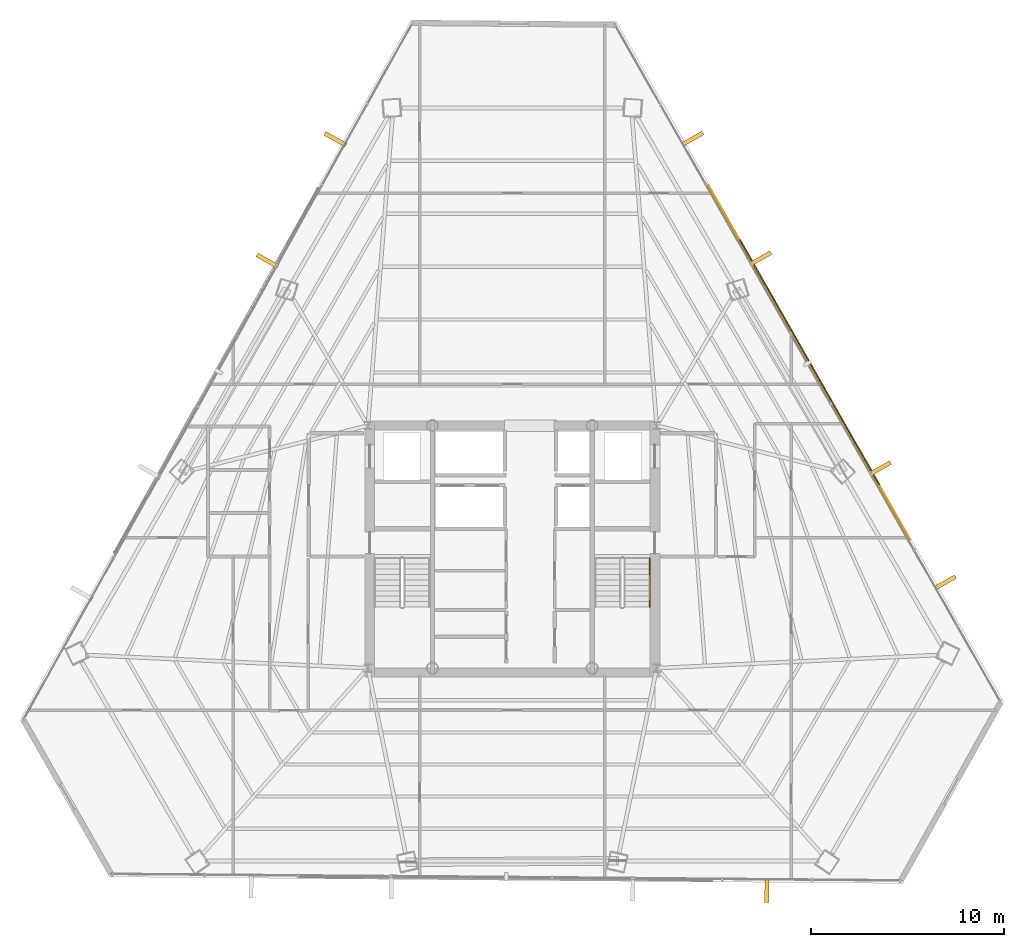
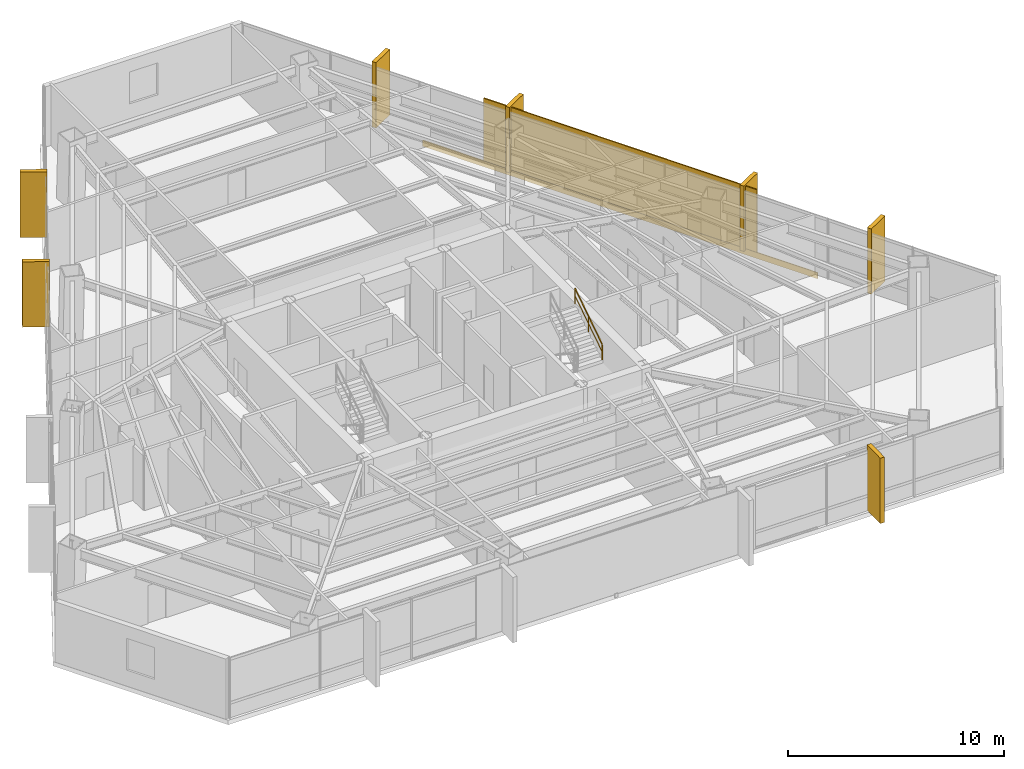
# One storey, part 38 of 38: 8 coverings, 1 railing, 1 shading device.
"""IFC4 building model written with IfcOpenShell, lengths in metres."""

import ifcopenshell
import ifcopenshell.guid

model = None  # the IFC model being written
_history = None  # IfcOwnerHistory: only IFC2X3 demands one
_inside = {}  # id of a spatial element -> (the spatial element, [elements in it])
_under = {}  # id of a project, library or spatial element -> (it, [spatial elements below it])
_declared = {}  # id of a project -> (the project, [libraries it declares])
_typed = {}  # id of a type object -> (the type object, [elements of that type])
_made_of = {}  # id of a material, layer set ... -> (it, [elements and type objects made of it])


def new_model(schema):
    """Start an empty IFC model of exactly this schema.

    Asked for "IFC4X3", IfcOpenShell would pick the latest addendum, in which some entities
    have other attributes; the version numbers below select the first issue.
    IFC2X3 requires an IfcOwnerHistory on every rooted entity: one is made here for all.
    """
    global model, _history
    if schema == "IFC4X3":
        model = ifcopenshell.file(schema_version=(4, 3, 0, 0))
    else:
        model = ifcopenshell.file(schema=schema)
    _inside.clear()
    _under.clear()
    _declared.clear()
    _typed.clear()
    _made_of.clear()
    _history = None
    if model.schema == "IFC2X3":
        org = make("IfcOrganization", Name="unknown")
        user = make(
            "IfcPersonAndOrganization",
            ThePerson=make("IfcPerson", FamilyName="unknown"),
            TheOrganization=org,
        )
        app = make(
            "IfcApplication",
            ApplicationDeveloper=org,
            Version="unknown",
            ApplicationFullName="unknown",
            ApplicationIdentifier="unknown",
        )
        _history = make(
            "IfcOwnerHistory",
            OwningUser=user,
            OwningApplication=app,
            ChangeAction="ADDED",
            CreationDate=0,
        )
    return model


def make(cls, **values):
    """One entity of the class cls with the attributes given. An attribute that is None is left unset."""
    return model.create_entity(
        cls, **{name: value for name, value in values.items() if value is not None}
    )


def rooted(cls, **values):
    """An entity with a GlobalId (a new one), such as an element, a storey or a relation."""
    return make(cls, GlobalId=ifcopenshell.guid.new(), OwnerHistory=_history, **values)


def si_unit(unit_type, name, prefix=None):
    """IfcSIUnit, for example si_unit("LENGTHUNIT", "METRE", prefix="MILLI")."""
    return make("IfcSIUnit", UnitType=unit_type, Prefix=prefix, Name=name)


def assignment(units):
    """IfcUnitAssignment: the units of a project."""
    return None if units is None else make("IfcUnitAssignment", Units=units)


def point(xyz):
    """IfcCartesianPoint."""
    return None if xyz is None else make("IfcCartesianPoint", Coordinates=xyz)


def direction(xyz):
    """IfcDirection."""
    return None if xyz is None else make("IfcDirection", DirectionRatios=xyz)


def frame(location, z_axis=None, x_axis=None):
    """IfcAxis2Placement3D, a coordinate frame: its origin and axes. An axis left out is left unset."""
    return make(
        "IfcAxis2Placement3D",
        Location=point(location),
        Axis=direction(z_axis),
        RefDirection=direction(x_axis),
    )


def frame_2d(location, x_axis=None):
    """IfcAxis2Placement2D, a coordinate frame in the plane: its origin and x axis."""
    return make(
        "IfcAxis2Placement2D", Location=point(location), RefDirection=direction(x_axis)
    )


def origin():
    """The frame at (0, 0, 0) with its axes left unset."""
    return frame((0.0, 0.0, 0.0))


def origin_2d():
    """The frame at (0, 0) in the plane with its x axis left unset."""
    return frame_2d((0.0, 0.0))


def place(relative_to, where):
    """IfcLocalPlacement: puts the frame where relative to a parent placement (None: the world)."""
    return make(
        "IfcLocalPlacement", PlacementRelTo=relative_to, RelativePlacement=where
    )


def context(
    kind, dimensions, precision=None, world=None, true_north=None, identifier=None
):
    """IfcGeometricRepresentationContext, for example the 3D "Model" context."""
    return make(
        "IfcGeometricRepresentationContext",
        ContextIdentifier=identifier,
        ContextType=kind,
        CoordinateSpaceDimension=dimensions,
        Precision=precision,
        WorldCoordinateSystem=world,
        TrueNorth=true_north,
    )


def subcontext(parent, identifier, kind, view, scale=None):
    """IfcGeometricRepresentationSubContext, for example "Body" below "Model"."""
    return make(
        "IfcGeometricRepresentationSubContext",
        ContextIdentifier=identifier,
        ContextType=kind,
        ParentContext=parent,
        TargetScale=scale,
        TargetView=view,
    )


def project(units=None, contexts=None):
    """IfcProject with its units and contexts."""
    return rooted(
        "IfcProject",
        Name="project",
        RepresentationContexts=contexts,
        UnitsInContext=assignment(units),
    )


def spatial(cls, under=None, at=None, **own):
    """A site, building, storey or space (cls), placed at a placement, below another one or the project."""
    s = rooted(cls, ObjectPlacement=at, **own)
    if under is not None:
        _under.setdefault(under.id(), (under, []))[1].append(s)
    return s


def profile(cls, at=None, kind="AREA", **sizes):
    """A parametric profile (cls). Its sizes go by their IFC names, for example OverallWidth=200.0."""
    return make(cls, ProfileType=kind, Position=at, **sizes)


def rectangle(**sizes):
    """IfcRectangleProfileDef."""
    return profile("IfcRectangleProfileDef", **sizes)


def extrude(swept, where, along, depth):
    """IfcExtrudedAreaSolid: the profile swept, set in the frame where, extruded along a direction by depth."""
    return make(
        "IfcExtrudedAreaSolid",
        SweptArea=swept,
        Position=where,
        ExtrudedDirection=direction(along),
        Depth=depth,
    )


def shape(context_of_items, identifier, shape_type, items):
    """IfcShapeRepresentation: the items that make up one representation, for example the "Body"."""
    return make(
        "IfcShapeRepresentation",
        ContextOfItems=context_of_items,
        RepresentationIdentifier=identifier,
        RepresentationType=shape_type,
        Items=items,
    )


def source(mapping_origin, context_of_items, identifier, shape_type, items):
    """IfcRepresentationMap: a shape defined once, which mapped items show again and again."""
    return make(
        "IfcRepresentationMap",
        MappingOrigin=mapping_origin,
        MappedRepresentation=shape(context_of_items, identifier, shape_type, items),
    )


def transform(
    local_origin,
    x_axis=None,
    y_axis=None,
    z_axis=None,
    scale=None,
    scale2=None,
    scale3=None,
    uniform=True,
):
    """IfcCartesianTransformationOperator3D, or its non-uniform kind. x_axis, y_axis, z_axis: its Axis1, 2, 3."""
    if uniform:
        return make(
            "IfcCartesianTransformationOperator3D",
            Axis1=direction(x_axis),
            Axis2=direction(y_axis),
            LocalOrigin=point(local_origin),
            Scale=scale,
            Axis3=direction(z_axis),
        )
    return make(
        "IfcCartesianTransformationOperator3DnonUniform",
        Axis1=direction(x_axis),
        Axis2=direction(y_axis),
        LocalOrigin=point(local_origin),
        Scale=scale,
        Axis3=direction(z_axis),
        Scale2=scale2,
        Scale3=scale3,
    )


def mapped(mapping_source, mapping_target):
    """IfcMappedItem: shows the shape of a source again, moved by a transform."""
    return make(
        "IfcMappedItem", MappingSource=mapping_source, MappingTarget=mapping_target
    )


def material(Name=None, Category=None):
    """IfcMaterial."""
    return make("IfcMaterial", Name=Name, Category=Category)


def layer(
    of_material, thickness, ventilated=None, Name=None, Category=None, Priority=None
):
    """IfcMaterialLayer: one layer of a wall or slab, of a material (None: an air gap)."""
    return make(
        "IfcMaterialLayer",
        Material=of_material,
        LayerThickness=thickness,
        IsVentilated=ventilated,
        Name=Name,
        Category=Category,
        Priority=Priority,
    )


def layer_set(layers, Name=None):
    """IfcMaterialLayerSet."""
    return make("IfcMaterialLayerSet", MaterialLayers=layers, LayerSetName=Name)


def made_of(thing, what):
    """Note that an element or type object is made of a material, layer set ...; save() writes the relation."""
    if what is not None:
        _made_of.setdefault(what.id(), (what, []))[1].append(thing)
    return thing


def type_object(cls, material=None, **own):
    """A type object (cls), such as IfcWallType, which elements share."""
    return made_of(rooted(cls, **own), material)


def type_shapes(of_type, sources):
    """Give a type object the sources (RepresentationMaps) that its elements show as mapped items."""
    of_type.RepresentationMaps = sources


def element(
    cls,
    number,
    at=None,
    inside=None,
    cuts=None,
    type_object=None,
    material=None,
    context=None,
    identifier="Body",
    shape_type=None,
    held_by="IfcProductDefinitionShape",
    body=None,
    shapes=None,
    **own,
):
    """One element of the class cls, such as IfcWall. Its Tag is "e" and its number.

    at: its placement. inside: the storey or other place that contains it. cuts: it is an
    opening in that element (IfcRelVoidsElement). A single representation is given by context,
    identifier, shape_type and body (its items); several are given by shapes. held_by: the class
    of the entity that holds the representations. save() writes the other relations.
    """
    e = rooted(cls, Tag="e%d" % number, ObjectPlacement=at, **own)
    if body is not None:
        shapes = [shape(context, identifier, shape_type, body)]
    if shapes is not None:
        e.Representation = make(held_by, Representations=shapes)
    if inside is not None:
        _inside.setdefault(inside.id(), (inside, []))[1].append(e)
    if cuts is not None:
        rooted(
            "IfcRelVoidsElement", RelatingBuildingElement=cuts, RelatedOpeningElement=e
        )
    if type_object is not None:
        _typed.setdefault(type_object.id(), (type_object, []))[1].append(e)
    return made_of(e, material)


def aggregate(whole, parts):
    """IfcRelAggregates: a whole, such as a stair, and the parts it consists of."""
    return rooted("IfcRelAggregates", RelatingObject=whole, RelatedObjects=parts)


def save(model, path):
    """Write the relations noted so far, then the file.

    IfcRelAggregates (storeys below a building ...), IfcRelContainedInSpatialStructure (elements
    in a storey), IfcRelDefinesByType, IfcRelAssociatesMaterial and IfcRelDeclares: one each for
    every whole, place, type object, material and project.
    """
    for whole, parts in _under.values():
        aggregate(whole, parts)
    for where, things in _inside.values():
        rooted(
            "IfcRelContainedInSpatialStructure",
            RelatedElements=things,
            RelatingStructure=where,
        )
    for kind, things in _typed.values():
        rooted("IfcRelDefinesByType", RelatedObjects=things, RelatingType=kind)
    for what, things in _made_of.values():
        rooted("IfcRelAssociatesMaterial", RelatedObjects=things, RelatingMaterial=what)
    for by, libraries in _declared.values():
        rooted("IfcRelDeclares", RelatingContext=by, RelatedDefinitions=libraries)
    model.write(path)


model = new_model("IFC4")

# Units and contexts
model_context = context("Model", 3, precision=1e-05, world=origin(), true_north=direction((0.0, 1.0)))
body_context = subcontext(model_context, "Body", "Model", "MODEL_VIEW")
ifc_project = project(units=[si_unit("LENGTHUNIT", "METRE"), si_unit("AREAUNIT", "SQUARE_METRE"), si_unit("VOLUMEUNIT", "CUBIC_METRE"), si_unit("PLANEANGLEUNIT", "RADIAN"), si_unit("MASSUNIT", "GRAM", prefix="KILO")], contexts=[model_context])

# Site, building, storey
site_placement = place(None, origin())
site = spatial("IfcSite", under=ifc_project, at=site_placement, CompositionType="ELEMENT")
building_placement = place(site_placement, origin())
building = spatial("IfcBuilding", under=site, at=building_placement, Name="Caelisora Broadcast Tower", CompositionType="ELEMENT")
storey_placement = place(building_placement, frame((0.0, 0.0, 154.85009765625)))
storey = spatial("IfcBuildingStorey", under=building, at=storey_placement, Name="L40", CompositionType="ELEMENT", Elevation=154.85009765625)

# Railing
ifc_material_1 = material(Name="Stainless Steel Grade 316 Tubular Handrail", Category="steel")
ifc_layer_1 = layer(ifc_material_1, 0.048095703125, Name="Stainless Steel Grade 316 Tubular Handrail")
ifc_layer_set_1 = layer_set([ifc_layer_1], Name="Stainless Steel Grade 316 Tubular Handrail")
railing_type = type_object("IfcRailingType", Name="HR-1", PredefinedType="HANDRAIL", material=ifc_layer_set_1)
railing_placement = place(storey_placement, frame((45.1298828125, 20.580078125, 2.00732421875)))
element("IfcRailing", 1, at=railing_placement, inside=storey, type_object=railing_type, Name="L40 ST-2 stair handrail 2", PredefinedType="HANDRAIL", context=body_context, shape_type="SweptSolid", body=[
    extrude(rectangle(XDim=0.048095703125, YDim=0.048095703125, at=origin_2d()), frame((0.0, 0.0, 0.8759765625), z_axis=(0.0, 0.837749427056, 0.546054848405), x_axis=(-1.0, 0.0, 0.0)), (0.0, 0.0, 1.0), 3.008056640625),
    extrude(rectangle(XDim=0.03125, YDim=0.03125, at=origin_2d()), frame((0.0, 0.0, 0.449951171875), z_axis=(0.0, 0.837749427056, 0.546054848405), x_axis=(-1.0, 0.0, 0.0)), (0.0, 0.0, 1.0), 3.008056640625),
    extrude(rectangle(XDim=0.0419921875, YDim=0.0419921875, at=origin_2d()), origin(), (0.0, 0.0, 1.0), 0.851806640625),
    extrude(rectangle(XDim=0.0419921875, YDim=0.0419921875, at=origin_2d()), frame((0.0, 1.260009765625, 0.8212890625)), (0.0, 0.0, 1.0), 0.851806640625),
    extrude(rectangle(XDim=0.0419921875, YDim=0.0419921875, at=origin_2d()), frame((0.0, 2.52001953125, 1.642578125)), (0.0, 0.0, 1.0), 0.851806640625),
])

# Coverings
ifc_material_2 = material(Name="Kiln-Fired Terracotta Spandrel Rainscreen Cladding", Category="ceramic")
ifc_layer_2 = layer(ifc_material_2, 0.044921875, Name="Kiln-Fired Terracotta Spandrel Rainscreen Cladding")
ifc_layer_set_2 = layer_set([ifc_layer_2], Name="Kiln-Fired Terracotta Spandrel Rainscreen Cladding")
covering_type = type_object("IfcCoveringType", Name="CL-1", PredefinedType="CLADDING", material=ifc_layer_set_2)
shared_shape_1 = source(origin(), body_context, "Body", "SweptSolid", [
    extrude(rectangle(XDim=0.219970703125, YDim=1.25, at=origin_2d()), origin(), (0.0, 0.0, 1.0), 3.68994140625),
])
for number, where, z_axis, x_axis, name in (
    (2, (47.354248046875, 44.889404296875, -0.02001953125), (0.0, 0.0, 1.0), (0.494852128545, -0.868977198133, 0.0), "L40 vertical solar fin cladding #1-1"),
    (3, (50.892822265625, 38.675537109375, -0.02001953125), (0.0, 0.0, 1.0), (0.494852128545, -0.868977198133, 0.0), "L40 vertical solar fin cladding #1-2"),
    (4, (57.101806640625, 27.772216796875, -0.02001953125), (0.0, 0.0, 1.0), (0.494852128545, -0.868977198133, 0.0), "L40 vertical solar fin cladding #1-3"),
    (5, (60.477783203125, 21.84423828125, -0.02001953125), (0.0, 0.0, 1.0), (0.494852128545, -0.868977198133, 0.0), "L40 vertical solar fin cladding #1-4"),
    (6, (51.222412109375, 5.864501953125, -0.02001953125), (0.0, 0.0, 1.0), (-0.999966355195, 0.008202955488, 0.0), "L40 vertical solar fin cladding #2-1"),
    (7, (25.28271484375, 38.560302734375, -0.02001953125), (0.0, 0.0, 1.0), (0.487707298065, 0.873007211547, 0.0), "L40 vertical solar fin cladding #3-3"),
    (8, (28.808837890625, 44.873291015625, -0.02001953125), (0.0, 0.0, 1.0), (0.487707298065, 0.873007211547, 0.0), "L40 vertical solar fin cladding #3-4"),
):
    element("IfcCovering", number, at=place(storey_placement, frame(where, z_axis=z_axis, x_axis=x_axis)), inside=storey, type_object=covering_type, Name=name, PredefinedType="CLADDING", context=body_context, shape_type="MappedRepresentation", body=[
        mapped(shared_shape_1, transform((0.0, 0.0, 0.0), scale=1.0)),
    ])

# Shading device
ifc_material_3 = material(Name="Perforated Glazed Terracotta Baguette Solar Screen", Category="ceramic")
ifc_layer_3 = layer(ifc_material_3, 0.06494140625, Name="Perforated Glazed Terracotta Baguette Solar Screen")
ifc_layer_set_3 = layer_set([ifc_layer_3], Name="Perforated Glazed Terracotta Baguette Solar Screen")
shading_device_type = type_object("IfcShadingDeviceType", Name="SS-1", PredefinedType="USERDEFINED", material=ifc_layer_set_3)
shared_shape_2 = source(origin(), body_context, "Body", "SweptSolid", [
    extrude(rectangle(XDim=14.638916015625, YDim=0.06494140625, at=origin_2d()), origin(), (0.0, 0.0, 1.0), 3.590087890625),
])
type_shapes(shading_device_type, [shared_shape_2])
shading_device_placement = place(storey_placement, frame((53.443115234375, 33.28759765625, 0.0), z_axis=(0.0, 0.0, 1.0), x_axis=(-0.494852128545, 0.868977198133, 0.0)))
element("IfcShadingDevice", 9, at=shading_device_placement, inside=storey, type_object=shading_device_type, Name="L40 perforated terracotta solar screen #3", ObjectType="SOLAR SCREEN", PredefinedType="USERDEFINED", context=body_context, shape_type="MappedRepresentation", body=[
    mapped(shared_shape_2, transform((0.0, 0.0, 0.0), scale=1.0)),
])

# Covering
shared_shape_3 = source(origin(), body_context, "Body", "SweptSolid", [
    extrude(rectangle(XDim=21.14501953125, YDim=0.044921875, at=origin_2d()), origin(), (0.0, 0.0, 1.0), 0.340087890625),
])
type_shapes(covering_type, [shared_shape_1, shared_shape_3])
covering_placement = place(storey_placement, frame((53.42578125, 33.27783203125, -0.27001953125), z_axis=(0.0, 0.0, 1.0), x_axis=(-0.494852128545, 0.868977198133, 0.0)))
element("IfcCovering", 10, at=covering_placement, inside=storey, type_object=covering_type, Name="L40 terracotta spandrel rainscreen #3", PredefinedType="CLADDING", context=body_context, shape_type="MappedRepresentation", body=[
    mapped(shared_shape_3, transform((0.0, 0.0, 0.0), scale=1.0)),
])

save(model, "model.ifc")
